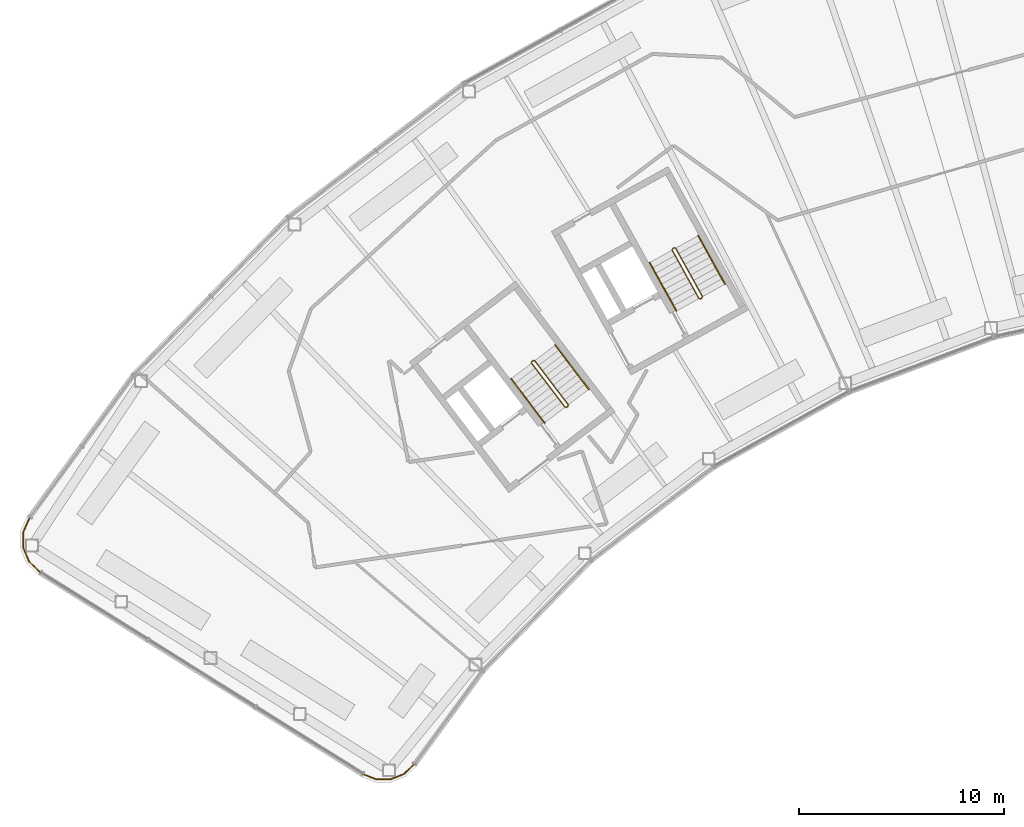
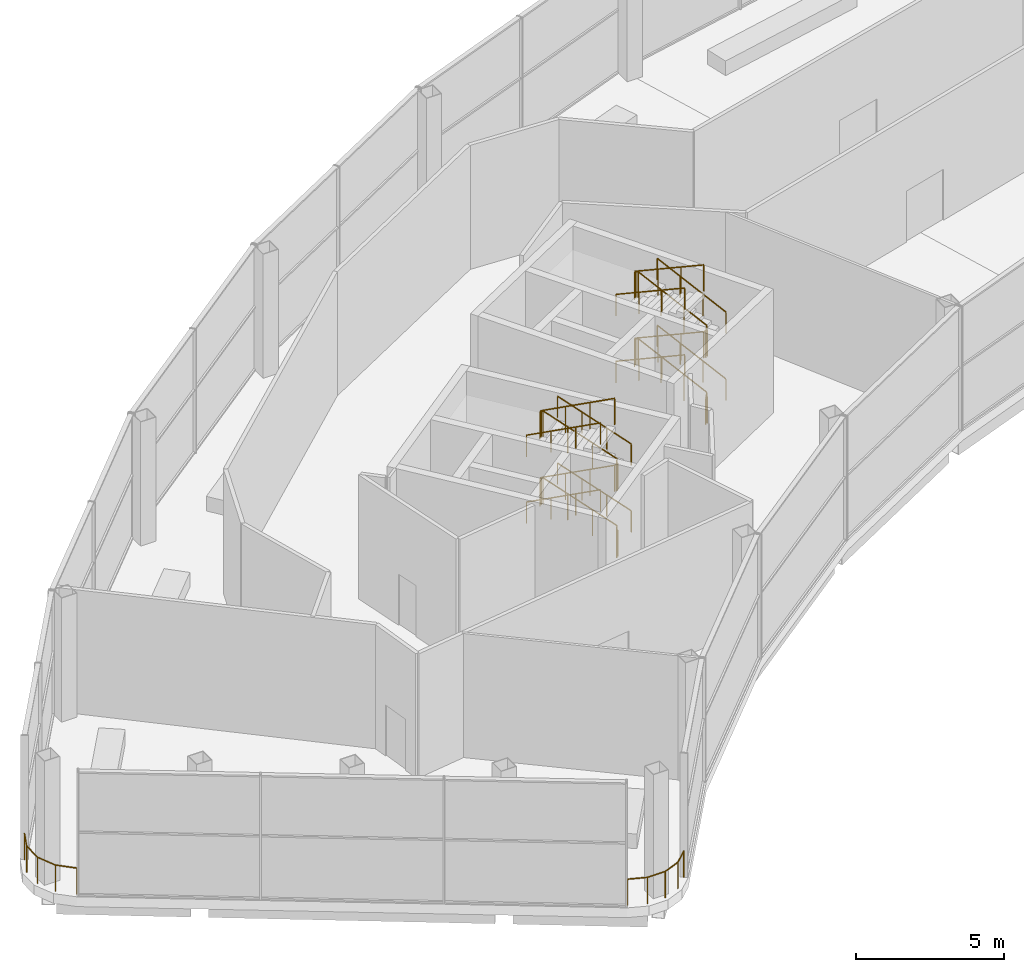
# One storey, part 41 of 43: 12 railings.
"""IFC4 building model written with IfcOpenShell, lengths in metres."""

from ifc_helpers import new_model, si_unit, direction, frame, origin, origin_2d, place, context, subcontext, project, spatial, circle, extrude, material, type_object, element, save


model = new_model("IFC4")

# Units and contexts
model_context = context("Model", 3, precision=1e-05, world=origin(), true_north=direction((0.0, 1.0)))
body_context = subcontext(model_context, "Body", "Model", "MODEL_VIEW")
ifc_project = project(units=[si_unit("LENGTHUNIT", "METRE"), si_unit("AREAUNIT", "SQUARE_METRE"), si_unit("VOLUMEUNIT", "CUBIC_METRE"), si_unit("PLANEANGLEUNIT", "RADIAN"), si_unit("MASSUNIT", "GRAM", prefix="KILO")], contexts=[model_context])

# Site, building, storey
site_placement = place(None, origin())
site = spatial("IfcSite", under=ifc_project, at=site_placement, CompositionType="ELEMENT")
building_placement = place(site_placement, origin())
building = spatial("IfcBuilding", under=site, at=building_placement, Name="Tuul Gate Civic Tower", CompositionType="ELEMENT")
storey_placement = place(building_placement, frame((0.0, 0.0, 349.10009765625)))
storey = spatial("IfcBuildingStorey", under=building, at=storey_placement, Name="Observation level 1", CompositionType="ELEMENT", Elevation=349.10009765625)

# Railings
ifc_material_1 = material(Name="Stainless steel", Category="steel")
railing_type_1 = type_object("IfcRailingType", Name="Edge guard", PredefinedType="GUARDRAIL", material=ifc_material_1)
railing_1_placement = place(storey_placement, frame((-59.597900390625, -18.944091796875, 0.0)))
element("IfcRailing", 1, at=railing_1_placement, inside=storey, type_object=railing_type_1, Name="Guard", PredefinedType="GUARDRAIL", context=body_context, shape_type="SweptSolid", body=[
    extrude(circle(Radius=0.02392578125, at=origin_2d()), frame((0.0, 0.0, 1.076171875), z_axis=(-0.409502361018, -0.912309057458, 0.0), x_axis=(0.912309057458, -0.409502361018, 0.0)), (0.0, 0.0, 1.0), 0.753662109375),
    extrude(circle(Radius=0.02392578125, at=origin_2d()), frame((-0.30859375, -0.6875, 1.076171875), z_axis=(-0.014580433083, -0.999893699836, 0.0), x_axis=(0.999893699836, -0.014580433083, 0.0)), (0.0, 0.0, 1.0), 0.75341796875),
    extrude(circle(Radius=0.02392578125, at=origin_2d()), frame((-0.319580078125, -1.44091796875, 1.076171875), z_axis=(0.385811143559, -0.922577780735, 0.0), x_axis=(0.922577780735, 0.385811143559, 0.0)), (0.0, 0.0, 1.0), 0.753662109375),
    extrude(circle(Radius=0.02392578125, at=origin_2d()), frame((-0.02880859375, -2.13623046875, 1.076171875), z_axis=(0.722332119168, -0.691546317768, 0.0), x_axis=(0.691546317768, 0.722332119168, 0.0)), (0.0, 0.0, 1.0), 0.75341796875),
    extrude(circle(Radius=0.02099609375, at=origin_2d()), origin(), (0.0, 0.0, 1.0), 1.052001953125),
    extrude(circle(Radius=0.02099609375, at=origin_2d()), frame((-0.30859375, -0.6875, 0.0)), (0.0, 0.0, 1.0), 1.052001953125),
    extrude(circle(Radius=0.02099609375, at=origin_2d()), frame((-0.319580078125, -1.44091796875, 0.0)), (0.0, 0.0, 1.0), 1.052001953125),
    extrude(circle(Radius=0.02099609375, at=origin_2d()), frame((-0.02880859375, -2.13623046875, 0.0)), (0.0, 0.0, 1.0), 1.052001953125),
    extrude(circle(Radius=0.02099609375, at=origin_2d()), frame((0.515380859375, -2.6572265625, 0.0)), (0.0, 0.0, 1.0), 1.052001953125),
])
railing_2_placement = place(storey_placement, frame((-43.35498046875, -31.43310546875, 0.0)))
element("IfcRailing", 2, at=railing_2_placement, inside=storey, type_object=railing_type_1, Name="Guard", PredefinedType="GUARDRAIL", context=body_context, shape_type="SweptSolid", body=[
    extrude(circle(Radius=0.02392578125, at=origin_2d()), frame((0.0, 0.0, 1.076171875), z_axis=(0.933546496867, -0.35845632675, 0.0), x_axis=(0.35845632675, 0.933546496867, 0.0)), (0.0, 0.0, 1.0), 0.6884765625),
    extrude(circle(Radius=0.02392578125, at=origin_2d()), frame((0.642822265625, -0.246826171875, 1.076171875), z_axis=(0.999995973226, 0.002837874348, 0.0), x_axis=(-0.002837874348, 0.999995973226, 0.0)), (0.0, 0.0, 1.0), 0.688232421875),
    extrude(circle(Radius=0.02392578125, at=origin_2d()), frame((1.3310546875, -0.244873046875, 1.076171875), z_axis=(0.929355422999, 0.369186264293, 0.0), x_axis=(-0.369186264293, 0.929355422999, 0.0)), (0.0, 0.0, 1.0), 0.687744140625),
    extrude(circle(Radius=0.02392578125, at=origin_2d()), frame((1.97021484375, 0.009033203125, 1.076171875), z_axis=(0.730277115831, 0.68315103315, 0.0), x_axis=(-0.68315103315, 0.730277115831, 0.0)), (0.0, 0.0, 1.0), 0.68896484375),
    extrude(circle(Radius=0.02099609375, at=origin_2d()), origin(), (0.0, 0.0, 1.0), 1.052001953125),
    extrude(circle(Radius=0.02099609375, at=origin_2d()), frame((0.642822265625, -0.246826171875, 0.0)), (0.0, 0.0, 1.0), 1.052001953125),
    extrude(circle(Radius=0.02099609375, at=origin_2d()), frame((1.3310546875, -0.244873046875, 0.0)), (0.0, 0.0, 1.0), 1.052001953125),
    extrude(circle(Radius=0.02099609375, at=origin_2d()), frame((1.97021484375, 0.009033203125, 0.0)), (0.0, 0.0, 1.0), 1.052001953125),
    extrude(circle(Radius=0.02099609375, at=origin_2d()), frame((2.473388671875, 0.479736328125, 0.0)), (0.0, 0.0, 1.0), 1.052001953125),
])
ifc_material_2 = material(Name="Painted steel", Category="steel")
railing_type_2 = type_object("IfcRailingType", Name="Stair guard", PredefinedType="GUARDRAIL", material=ifc_material_2)
railing_3_placement = place(storey_placement, frame((-33.382080078125, -13.515380859375, 0.0)))
element("IfcRailing", 3, at=railing_3_placement, inside=storey, type_object=railing_type_2, Name="Observation level 1 ST-1 stair guard 1", PredefinedType="GUARDRAIL", context=body_context, shape_type="SweptSolid", body=[
    extrude(circle(Radius=0.02392578125, at=origin_2d()), frame((0.0, 0.0, 1.076171875), z_axis=(-0.795879841968, -0.605454603706, 0.0), x_axis=(0.605454603706, -0.795879841968, 0.0)), (0.0, 0.0, 1.0), 0.10009765625),
    extrude(circle(Radius=0.02392578125, at=origin_2d()), frame((-0.07958984375, -0.060546875, 1.076171875), z_axis=(0.425334265974, 0.623435156976, 0.656063539023), x_axis=(-0.826063974707, 0.563576356576, 0.0)), (0.0, 0.0, 1.0), 0.20947265625),
    extrude(circle(Radius=0.02392578125, at=origin_2d()), frame((0.009521484375, 0.070068359375, 1.21337890625), z_axis=(-0.550666011155, 0.723288585185, 0.416678013218), x_axis=(-0.795649622695, -0.605757111312, 0.0)), (0.0, 0.0, 1.0), 2.969970703125),
    extrude(circle(Radius=0.02392578125, at=origin_2d()), frame((-1.6259765625, 2.21826171875, 2.451171875), z_axis=(-0.990893089246, 0.134650977284, 0.0), x_axis=(-0.134650977284, -0.990893089246, 0.0)), (0.0, 0.0, 1.0), 0.07080078125),
    extrude(circle(Radius=0.02392578125, at=origin_2d()), frame((-1.696044921875, 2.227783203125, 2.451171875), z_axis=(-0.795879841968, -0.605454603706, 0.0), x_axis=(0.605454603706, -0.795879841968, 0.0)), (0.0, 0.0, 1.0), 0.10009765625),
    extrude(circle(Radius=0.02392578125, at=origin_2d()), frame((-1.775634765625, 2.167236328125, 2.451171875), z_axis=(-0.061598308661, -0.453300373991, 0.889226866052), x_axis=(0.990893089246, -0.134650977284, 0.0)), (0.0, 0.0, 1.0), 0.154541015625),
    extrude(circle(Radius=0.02392578125, at=origin_2d()), frame((-1.78515625, 2.09716796875, 2.58837890625), z_axis=(0.550666011155, -0.723288585185, 0.416678013218), x_axis=(0.795649622695, 0.605757111312, 0.0)), (0.0, 0.0, 1.0), 2.969970703125),
    extrude(circle(Radius=0.02392578125, at=origin_2d()), frame((-0.149658203125, -0.051025390625, 3.826171875), z_axis=(0.946499470085, 0.32270536582, 0.0), x_axis=(-0.32270536582, 0.946499470085, 0.0)), (0.0, 0.0, 1.0), 0.158203125),
    extrude(circle(Radius=0.02392578125, at=origin_2d()), frame((0.0, 0.0, 3.826171875), z_axis=(-0.795879841968, -0.605454603706, 0.0), x_axis=(0.605454603706, -0.795879841968, 0.0)), (0.0, 0.0, 1.0), 0.10009765625),
    extrude(circle(Radius=0.02392578125, at=origin_2d()), frame((-0.07958984375, -0.060546875, 3.826171875), z_axis=(0.425334265974, 0.623435156976, 0.656063539023), x_axis=(-0.826063974707, 0.563576356576, 0.0)), (0.0, 0.0, 1.0), 0.20947265625),
    extrude(circle(Radius=0.02392578125, at=origin_2d()), frame((0.009521484375, 0.070068359375, 3.96337890625), z_axis=(-0.550666011155, 0.723288585185, 0.416678013218), x_axis=(-0.795649622695, -0.605757111312, 0.0)), (0.0, 0.0, 1.0), 2.969970703125),
    extrude(circle(Radius=0.02392578125, at=origin_2d()), frame((-1.6259765625, 2.21826171875, 5.201171875), z_axis=(-0.990893089246, 0.134650977284, 0.0), x_axis=(-0.134650977284, -0.990893089246, 0.0)), (0.0, 0.0, 1.0), 0.07080078125),
    extrude(circle(Radius=0.02392578125, at=origin_2d()), frame((-1.696044921875, 2.227783203125, 5.201171875), z_axis=(-0.795879841968, -0.605454603706, 0.0), x_axis=(0.605454603706, -0.795879841968, 0.0)), (0.0, 0.0, 1.0), 0.10009765625),
    extrude(circle(Radius=0.02392578125, at=origin_2d()), frame((-1.775634765625, 2.167236328125, 5.201171875), z_axis=(-0.061598308661, -0.453300373991, 0.889226866052), x_axis=(0.990893089246, -0.134650977284, 0.0)), (0.0, 0.0, 1.0), 0.154541015625),
    extrude(circle(Radius=0.02392578125, at=origin_2d()), frame((-1.78515625, 2.09716796875, 5.33837890625), z_axis=(0.550666011155, -0.723288585185, 0.416678013218), x_axis=(0.795649622695, 0.605757111312, 0.0)), (0.0, 0.0, 1.0), 2.969970703125),
    extrude(circle(Radius=0.02099609375, at=origin_2d()), origin(), (0.0, 0.0, 1.0), 1.052001953125),
    extrude(circle(Radius=0.02099609375, at=origin_2d()), frame((-0.07958984375, -0.060546875, 0.0)), (0.0, 0.0, 1.0), 1.052001953125),
    extrude(circle(Radius=0.02099609375, at=origin_2d()), frame((0.009521484375, 0.070068359375, 0.137451171875)), (0.0, 0.0, 1.0), 1.052001953125),
    extrude(circle(Radius=0.02099609375, at=origin_2d()), frame((-0.53564453125, 0.7861328125, 0.550048828125)), (0.0, 0.0, 1.0), 1.052001953125),
    extrude(circle(Radius=0.02099609375, at=origin_2d()), frame((-1.080810546875, 1.502197265625, 0.96240234375)), (0.0, 0.0, 1.0), 1.052001953125),
    extrude(circle(Radius=0.02099609375, at=origin_2d()), frame((-1.6259765625, 2.21826171875, 1.375)), (0.0, 0.0, 1.0), 1.052001953125),
    extrude(circle(Radius=0.02099609375, at=origin_2d()), frame((-1.696044921875, 2.227783203125, 1.375)), (0.0, 0.0, 1.0), 1.052001953125),
    extrude(circle(Radius=0.02099609375, at=origin_2d()), frame((-1.775634765625, 2.167236328125, 1.375)), (0.0, 0.0, 1.0), 1.052001953125),
    extrude(circle(Radius=0.02099609375, at=origin_2d()), frame((-1.78515625, 2.09716796875, 1.512451171875)), (0.0, 0.0, 1.0), 1.052001953125),
    extrude(circle(Radius=0.02099609375, at=origin_2d()), frame((-1.239990234375, 1.381103515625, 1.925048828125)), (0.0, 0.0, 1.0), 1.052001953125),
    extrude(circle(Radius=0.02099609375, at=origin_2d()), frame((-0.69482421875, 0.6650390625, 2.33740234375)), (0.0, 0.0, 1.0), 1.052001953125),
    extrude(circle(Radius=0.02099609375, at=origin_2d()), frame((-0.149658203125, -0.051025390625, 2.75)), (0.0, 0.0, 1.0), 1.052001953125),
    extrude(circle(Radius=0.02099609375, at=origin_2d()), frame((0.0, 0.0, 2.75)), (0.0, 0.0, 1.0), 1.052001953125),
    extrude(circle(Radius=0.02099609375, at=origin_2d()), frame((-0.07958984375, -0.060546875, 2.75)), (0.0, 0.0, 1.0), 1.052001953125),
    extrude(circle(Radius=0.02099609375, at=origin_2d()), frame((0.009521484375, 0.070068359375, 2.887451171875)), (0.0, 0.0, 1.0), 1.052001953125),
    extrude(circle(Radius=0.02099609375, at=origin_2d()), frame((-0.53564453125, 0.7861328125, 3.300048828125)), (0.0, 0.0, 1.0), 1.052001953125),
    extrude(circle(Radius=0.02099609375, at=origin_2d()), frame((-1.080810546875, 1.502197265625, 3.71240234375)), (0.0, 0.0, 1.0), 1.052001953125),
    extrude(circle(Radius=0.02099609375, at=origin_2d()), frame((-1.6259765625, 2.21826171875, 4.125)), (0.0, 0.0, 1.0), 1.052001953125),
    extrude(circle(Radius=0.02099609375, at=origin_2d()), frame((-1.696044921875, 2.227783203125, 4.125)), (0.0, 0.0, 1.0), 1.052001953125),
    extrude(circle(Radius=0.02099609375, at=origin_2d()), frame((-1.775634765625, 2.167236328125, 4.125)), (0.0, 0.0, 1.0), 1.052001953125),
    extrude(circle(Radius=0.02099609375, at=origin_2d()), frame((-1.78515625, 2.09716796875, 4.262451171875)), (0.0, 0.0, 1.0), 1.052001953125),
    extrude(circle(Radius=0.02099609375, at=origin_2d()), frame((-1.239990234375, 1.381103515625, 4.675048828125)), (0.0, 0.0, 1.0), 1.052001953125),
    extrude(circle(Radius=0.02099609375, at=origin_2d()), frame((-0.69482421875, 0.6650390625, 5.08740234375)), (0.0, 0.0, 1.0), 1.052001953125),
    extrude(circle(Radius=0.02099609375, at=origin_2d()), frame((-0.149658203125, -0.051025390625, 5.5)), (0.0, 0.0, 1.0), 1.052001953125),
])
railing_4_placement = place(storey_placement, frame((-26.857666015625, -8.247314453125, 0.0)))
element("IfcRailing", 4, at=railing_4_placement, inside=storey, type_object=railing_type_2, Name="Observation level 1 ST-2 stair guard 1", PredefinedType="GUARDRAIL", context=body_context, shape_type="SweptSolid", body=[
    extrude(circle(Radius=0.02392578125, at=origin_2d()), frame((0.0, 0.0, 1.076171875), z_axis=(-0.874616555828, -0.48481530532, 0.0), x_axis=(0.48481530532, -0.874616555828, 0.0)), (0.0, 0.0, 1.0), 0.10009765625),
    extrude(circle(Radius=0.02392578125, at=origin_2d()), frame((-0.087646484375, -0.048583984375, 1.076171875), z_axis=(0.510427805042, 0.555876856176, 0.656097840728), x_axis=(-0.736576986774, 0.676353711126, 0.0)), (0.0, 0.0, 1.0), 0.20947265625),
    extrude(circle(Radius=0.02392578125, at=origin_2d()), frame((0.019287109375, 0.06787109375, 1.21337890625), z_axis=(-0.440668491616, 0.795110300206, 0.416666402537), x_axis=(-0.874651584123, -0.484752108186, 0.0)), (0.0, 0.0, 1.0), 2.97021484375),
    extrude(circle(Radius=0.02392578125, at=origin_2d()), frame((-1.28955078125, 2.429443359375, 2.451171875), z_axis=(-0.961000426733, 0.276546885391, 0.0), x_axis=(-0.276546885391, -0.961000426733, 0.0)), (0.0, 0.0, 1.0), 0.070556640625),
    extrude(circle(Radius=0.02392578125, at=origin_2d()), frame((-1.357421875, 2.448974609375, 2.451171875), z_axis=(-0.874042088414, -0.485850211157, 0.0), x_axis=(0.485850211157, -0.874042088414, 0.0)), (0.0, 0.0, 1.0), 0.10009765625),
    extrude(circle(Radius=0.02392578125, at=origin_2d()), frame((-1.44482421875, 2.400390625, 2.451171875), z_axis=(-0.126387984284, -0.439198245387, 0.889455439399), x_axis=(0.961000426733, -0.276546885391, 0.0)), (0.0, 0.0, 1.0), 0.154541015625),
    extrude(circle(Radius=0.02392578125, at=origin_2d()), frame((-1.46435546875, 2.33251953125, 2.58837890625), z_axis=(0.440668491616, -0.795110300206, 0.416666402537), x_axis=(0.874651584123, 0.484752108186, 0.0)), (0.0, 0.0, 1.0), 2.97021484375),
    extrude(circle(Radius=0.02392578125, at=origin_2d()), frame((-0.155517578125, -0.029052734375, 3.826171875), z_axis=(0.98299425886, 0.183636290117, 0.0), x_axis=(-0.183636290117, 0.98299425886, 0.0)), (0.0, 0.0, 1.0), 0.158203125),
    extrude(circle(Radius=0.02392578125, at=origin_2d()), frame((0.0, 0.0, 3.826171875), z_axis=(-0.874616555828, -0.48481530532, 0.0), x_axis=(0.48481530532, -0.874616555828, 0.0)), (0.0, 0.0, 1.0), 0.10009765625),
    extrude(circle(Radius=0.02392578125, at=origin_2d()), frame((-0.087646484375, -0.048583984375, 3.826171875), z_axis=(0.510427805042, 0.555876856176, 0.656097840728), x_axis=(-0.736576986774, 0.676353711126, 0.0)), (0.0, 0.0, 1.0), 0.20947265625),
    extrude(circle(Radius=0.02392578125, at=origin_2d()), frame((0.019287109375, 0.06787109375, 3.96337890625), z_axis=(-0.440668491616, 0.795110300206, 0.416666402537), x_axis=(-0.874651584123, -0.484752108186, 0.0)), (0.0, 0.0, 1.0), 2.97021484375),
    extrude(circle(Radius=0.02392578125, at=origin_2d()), frame((-1.28955078125, 2.429443359375, 5.201171875), z_axis=(-0.961000426733, 0.276546885391, 0.0), x_axis=(-0.276546885391, -0.961000426733, 0.0)), (0.0, 0.0, 1.0), 0.070556640625),
    extrude(circle(Radius=0.02392578125, at=origin_2d()), frame((-1.357421875, 2.448974609375, 5.201171875), z_axis=(-0.874042088414, -0.485850211157, 0.0), x_axis=(0.485850211157, -0.874042088414, 0.0)), (0.0, 0.0, 1.0), 0.10009765625),
    extrude(circle(Radius=0.02392578125, at=origin_2d()), frame((-1.44482421875, 2.400390625, 5.201171875), z_axis=(-0.126387984284, -0.439198245387, 0.889455439399), x_axis=(0.961000426733, -0.276546885391, 0.0)), (0.0, 0.0, 1.0), 0.154541015625),
    extrude(circle(Radius=0.02392578125, at=origin_2d()), frame((-1.46435546875, 2.33251953125, 5.33837890625), z_axis=(0.440668491616, -0.795110300206, 0.416666402537), x_axis=(0.874651584123, 0.484752108186, 0.0)), (0.0, 0.0, 1.0), 2.97021484375),
    extrude(circle(Radius=0.02099609375, at=origin_2d()), origin(), (0.0, 0.0, 1.0), 1.052001953125),
    extrude(circle(Radius=0.02099609375, at=origin_2d()), frame((-0.087646484375, -0.048583984375, 0.0)), (0.0, 0.0, 1.0), 1.052001953125),
    extrude(circle(Radius=0.02099609375, at=origin_2d()), frame((0.019287109375, 0.06787109375, 0.137451171875)), (0.0, 0.0, 1.0), 1.052001953125),
    extrude(circle(Radius=0.02099609375, at=origin_2d()), frame((-0.4169921875, 0.85498046875, 0.550048828125)), (0.0, 0.0, 1.0), 1.052001953125),
    extrude(circle(Radius=0.02099609375, at=origin_2d()), frame((-0.853271484375, 1.642333984375, 0.96240234375)), (0.0, 0.0, 1.0), 1.052001953125),
    extrude(circle(Radius=0.02099609375, at=origin_2d()), frame((-1.28955078125, 2.429443359375, 1.375)), (0.0, 0.0, 1.0), 1.052001953125),
    extrude(circle(Radius=0.02099609375, at=origin_2d()), frame((-1.357421875, 2.448974609375, 1.375)), (0.0, 0.0, 1.0), 1.052001953125),
    extrude(circle(Radius=0.02099609375, at=origin_2d()), frame((-1.44482421875, 2.400390625, 1.375)), (0.0, 0.0, 1.0), 1.052001953125),
    extrude(circle(Radius=0.02099609375, at=origin_2d()), frame((-1.46435546875, 2.33251953125, 1.512451171875)), (0.0, 0.0, 1.0), 1.052001953125),
    extrude(circle(Radius=0.02099609375, at=origin_2d()), frame((-1.028076171875, 1.54541015625, 1.925048828125)), (0.0, 0.0, 1.0), 1.052001953125),
    extrude(circle(Radius=0.02099609375, at=origin_2d()), frame((-0.591796875, 0.758056640625, 2.33740234375)), (0.0, 0.0, 1.0), 1.052001953125),
    extrude(circle(Radius=0.02099609375, at=origin_2d()), frame((-0.155517578125, -0.029052734375, 2.75)), (0.0, 0.0, 1.0), 1.052001953125),
    extrude(circle(Radius=0.02099609375, at=origin_2d()), frame((0.0, 0.0, 2.75)), (0.0, 0.0, 1.0), 1.052001953125),
    extrude(circle(Radius=0.02099609375, at=origin_2d()), frame((-0.087646484375, -0.048583984375, 2.75)), (0.0, 0.0, 1.0), 1.052001953125),
    extrude(circle(Radius=0.02099609375, at=origin_2d()), frame((0.019287109375, 0.06787109375, 2.887451171875)), (0.0, 0.0, 1.0), 1.052001953125),
    extrude(circle(Radius=0.02099609375, at=origin_2d()), frame((-0.4169921875, 0.85498046875, 3.300048828125)), (0.0, 0.0, 1.0), 1.052001953125),
    extrude(circle(Radius=0.02099609375, at=origin_2d()), frame((-0.853271484375, 1.642333984375, 3.71240234375)), (0.0, 0.0, 1.0), 1.052001953125),
    extrude(circle(Radius=0.02099609375, at=origin_2d()), frame((-1.28955078125, 2.429443359375, 4.125)), (0.0, 0.0, 1.0), 1.052001953125),
    extrude(circle(Radius=0.02099609375, at=origin_2d()), frame((-1.357421875, 2.448974609375, 4.125)), (0.0, 0.0, 1.0), 1.052001953125),
    extrude(circle(Radius=0.02099609375, at=origin_2d()), frame((-1.44482421875, 2.400390625, 4.125)), (0.0, 0.0, 1.0), 1.052001953125),
    extrude(circle(Radius=0.02099609375, at=origin_2d()), frame((-1.46435546875, 2.33251953125, 4.262451171875)), (0.0, 0.0, 1.0), 1.052001953125),
    extrude(circle(Radius=0.02099609375, at=origin_2d()), frame((-1.028076171875, 1.54541015625, 4.675048828125)), (0.0, 0.0, 1.0), 1.052001953125),
    extrude(circle(Radius=0.02099609375, at=origin_2d()), frame((-0.591796875, 0.758056640625, 5.08740234375)), (0.0, 0.0, 1.0), 1.052001953125),
    extrude(circle(Radius=0.02099609375, at=origin_2d()), frame((-0.155517578125, -0.029052734375, 5.5)), (0.0, 0.0, 1.0), 1.052001953125),
])
ifc_material_3 = material(Name="Painted steel", Category="steel")
railing_type_3 = type_object("IfcRailingType", Name="Stair handrail", PredefinedType="HANDRAIL", material=ifc_material_3)
railing_5_placement = place(storey_placement, frame((-32.3779296875, -12.688232421875, 0.137451171875)))
element("IfcRailing", 5, at=railing_5_placement, inside=storey, type_object=railing_type_3, Name="Observation level 1 ST-1 stair handrail 1", PredefinedType="HANDRAIL", context=body_context, shape_type="SweptSolid", body=[
    extrude(circle(Radius=0.02392578125, at=origin_2d()), frame((0.0, 0.0, 0.8759765625), z_axis=(-0.550666011155, 0.723288585185, 0.416678013218), x_axis=(-0.795649622695, -0.605757111312, 0.0)), (0.0, 0.0, 1.0), 2.969970703125),
    extrude(circle(Radius=0.02099609375, at=origin_2d()), origin(), (0.0, 0.0, 1.0), 0.851806640625),
    extrude(circle(Radius=0.02099609375, at=origin_2d()), frame((-0.545166015625, 0.716064453125, 0.41259765625)), (0.0, 0.0, 1.0), 0.851806640625),
    extrude(circle(Radius=0.02099609375, at=origin_2d()), frame((-1.09033203125, 1.43212890625, 0.824951171875)), (0.0, 0.0, 1.0), 0.851806640625),
    extrude(circle(Radius=0.02099609375, at=origin_2d()), frame((-1.635498046875, 2.148193359375, 1.237548828125)), (0.0, 0.0, 1.0), 0.851806640625),
])
railing_6_placement = place(storey_placement, frame((-36.161865234375, -12.175537109375, 1.512451171875)))
element("IfcRailing", 6, at=railing_6_placement, inside=storey, type_object=railing_type_3, Name="Observation level 1 ST-1 stair handrail 2", PredefinedType="HANDRAIL", context=body_context, shape_type="SweptSolid", body=[
    extrude(circle(Radius=0.02392578125, at=origin_2d()), frame((0.0, 0.0, 0.8759765625), z_axis=(0.550723282363, -0.723255845002, 0.416659151985), x_axis=(0.795606040846, 0.605814350911, 0.0)), (0.0, 0.0, 1.0), 2.97021484375),
    extrude(circle(Radius=0.02099609375, at=origin_2d()), origin(), (0.0, 0.0, 1.0), 0.851806640625),
    extrude(circle(Radius=0.02099609375, at=origin_2d()), frame((0.545166015625, -0.716064453125, 0.41259765625)), (0.0, 0.0, 1.0), 0.851806640625),
    extrude(circle(Radius=0.02099609375, at=origin_2d()), frame((1.090576171875, -1.43212890625, 0.824951171875)), (0.0, 0.0, 1.0), 0.851806640625),
    extrude(circle(Radius=0.02099609375, at=origin_2d()), frame((1.6357421875, -2.148193359375, 1.237548828125)), (0.0, 0.0, 1.0), 0.851806640625),
])
railing_7_placement = place(storey_placement, frame((-32.3779296875, -12.688232421875, 2.887451171875)))
element("IfcRailing", 7, at=railing_7_placement, inside=storey, type_object=railing_type_3, Name="Observation level 1 ST-1 stair handrail 3", PredefinedType="HANDRAIL", context=body_context, shape_type="SweptSolid", body=[
    extrude(circle(Radius=0.02392578125, at=origin_2d()), frame((0.0, 0.0, 0.8759765625), z_axis=(-0.550666011155, 0.723288585185, 0.416678013218), x_axis=(-0.795649622695, -0.605757111312, 0.0)), (0.0, 0.0, 1.0), 2.969970703125),
    extrude(circle(Radius=0.02099609375, at=origin_2d()), origin(), (0.0, 0.0, 1.0), 0.851806640625),
    extrude(circle(Radius=0.02099609375, at=origin_2d()), frame((-0.545166015625, 0.716064453125, 0.41259765625)), (0.0, 0.0, 1.0), 0.851806640625),
    extrude(circle(Radius=0.02099609375, at=origin_2d()), frame((-1.09033203125, 1.43212890625, 0.824951171875)), (0.0, 0.0, 1.0), 0.851806640625),
    extrude(circle(Radius=0.02099609375, at=origin_2d()), frame((-1.635498046875, 2.148193359375, 1.237548828125)), (0.0, 0.0, 1.0), 0.851806640625),
])
railing_8_placement = place(storey_placement, frame((-36.161865234375, -12.175537109375, 4.262451171875)))
element("IfcRailing", 8, at=railing_8_placement, inside=storey, type_object=railing_type_3, Name="Observation level 1 ST-1 stair handrail 4", PredefinedType="HANDRAIL", context=body_context, shape_type="SweptSolid", body=[
    extrude(circle(Radius=0.02392578125, at=origin_2d()), frame((0.0, 0.0, 0.8759765625), z_axis=(0.550723282363, -0.723255845002, 0.416659151985), x_axis=(0.795606040846, 0.605814350911, 0.0)), (0.0, 0.0, 1.0), 2.97021484375),
    extrude(circle(Radius=0.02099609375, at=origin_2d()), origin(), (0.0, 0.0, 1.0), 0.851806640625),
    extrude(circle(Radius=0.02099609375, at=origin_2d()), frame((0.545166015625, -0.716064453125, 0.41259765625)), (0.0, 0.0, 1.0), 0.851806640625),
    extrude(circle(Radius=0.02099609375, at=origin_2d()), frame((1.090576171875, -1.43212890625, 0.824951171875)), (0.0, 0.0, 1.0), 0.851806640625),
    extrude(circle(Radius=0.02099609375, at=origin_2d()), frame((1.6357421875, -2.148193359375, 1.237548828125)), (0.0, 0.0, 1.0), 0.851806640625),
])
railing_9_placement = place(storey_placement, frame((-25.744873046875, -7.573486328125, 0.137451171875)))
element("IfcRailing", 9, at=railing_9_placement, inside=storey, type_object=railing_type_3, Name="Observation level 1 ST-2 stair handrail 1", PredefinedType="HANDRAIL", context=body_context, shape_type="SweptSolid", body=[
    extrude(circle(Radius=0.02392578125, at=origin_2d()), frame((0.0, 0.0, 0.8759765625), z_axis=(-0.440668491616, 0.795110300206, 0.416666402537), x_axis=(-0.874651584123, -0.484752108186, 0.0)), (0.0, 0.0, 1.0), 2.97021484375),
    extrude(circle(Radius=0.02099609375, at=origin_2d()), origin(), (0.0, 0.0, 1.0), 0.851806640625),
    extrude(circle(Radius=0.02099609375, at=origin_2d()), frame((-0.436279296875, 0.787109375, 0.41259765625)), (0.0, 0.0, 1.0), 0.851806640625),
    extrude(circle(Radius=0.02099609375, at=origin_2d()), frame((-0.87255859375, 1.574462890625, 0.824951171875)), (0.0, 0.0, 1.0), 0.851806640625),
    extrude(circle(Radius=0.02099609375, at=origin_2d()), frame((-1.308837890625, 2.361572265625, 1.237548828125)), (0.0, 0.0, 1.0), 0.851806640625),
])
railing_10_placement = place(storey_placement, frame((-29.415283203125, -6.520751953125, 1.512451171875)))
element("IfcRailing", 10, at=railing_10_placement, inside=storey, type_object=railing_type_3, Name="Observation level 1 ST-2 stair handrail 2", PredefinedType="HANDRAIL", context=body_context, shape_type="SweptSolid", body=[
    extrude(circle(Radius=0.02392578125, at=origin_2d()), frame((0.0, 0.0, 0.8759765625), z_axis=(0.440668491616, -0.795110300206, 0.416666402537), x_axis=(0.874651584123, 0.484752108186, 0.0)), (0.0, 0.0, 1.0), 2.97021484375),
    extrude(circle(Radius=0.02099609375, at=origin_2d()), origin(), (0.0, 0.0, 1.0), 0.851806640625),
    extrude(circle(Radius=0.02099609375, at=origin_2d()), frame((0.436279296875, -0.787109375, 0.41259765625)), (0.0, 0.0, 1.0), 0.851806640625),
    extrude(circle(Radius=0.02099609375, at=origin_2d()), frame((0.87255859375, -1.574462890625, 0.824951171875)), (0.0, 0.0, 1.0), 0.851806640625),
    extrude(circle(Radius=0.02099609375, at=origin_2d()), frame((1.308837890625, -2.361572265625, 1.237548828125)), (0.0, 0.0, 1.0), 0.851806640625),
])
railing_11_placement = place(storey_placement, frame((-25.744873046875, -7.573486328125, 2.887451171875)))
element("IfcRailing", 11, at=railing_11_placement, inside=storey, type_object=railing_type_3, Name="Observation level 1 ST-2 stair handrail 3", PredefinedType="HANDRAIL", context=body_context, shape_type="SweptSolid", body=[
    extrude(circle(Radius=0.02392578125, at=origin_2d()), frame((0.0, 0.0, 0.8759765625), z_axis=(-0.440668491616, 0.795110300206, 0.416666402537), x_axis=(-0.874651584123, -0.484752108186, 0.0)), (0.0, 0.0, 1.0), 2.97021484375),
    extrude(circle(Radius=0.02099609375, at=origin_2d()), origin(), (0.0, 0.0, 1.0), 0.851806640625),
    extrude(circle(Radius=0.02099609375, at=origin_2d()), frame((-0.436279296875, 0.787109375, 0.41259765625)), (0.0, 0.0, 1.0), 0.851806640625),
    extrude(circle(Radius=0.02099609375, at=origin_2d()), frame((-0.87255859375, 1.574462890625, 0.824951171875)), (0.0, 0.0, 1.0), 0.851806640625),
    extrude(circle(Radius=0.02099609375, at=origin_2d()), frame((-1.308837890625, 2.361572265625, 1.237548828125)), (0.0, 0.0, 1.0), 0.851806640625),
])
railing_12_placement = place(storey_placement, frame((-29.415283203125, -6.520751953125, 4.262451171875)))
element("IfcRailing", 12, at=railing_12_placement, inside=storey, type_object=railing_type_3, Name="Observation level 1 ST-2 stair handrail 4", PredefinedType="HANDRAIL", context=body_context, shape_type="SweptSolid", body=[
    extrude(circle(Radius=0.02392578125, at=origin_2d()), frame((0.0, 0.0, 0.8759765625), z_axis=(0.440668491616, -0.795110300206, 0.416666402537), x_axis=(0.874651584123, 0.484752108186, 0.0)), (0.0, 0.0, 1.0), 2.97021484375),
    extrude(circle(Radius=0.02099609375, at=origin_2d()), origin(), (0.0, 0.0, 1.0), 0.851806640625),
    extrude(circle(Radius=0.02099609375, at=origin_2d()), frame((0.436279296875, -0.787109375, 0.41259765625)), (0.0, 0.0, 1.0), 0.851806640625),
    extrude(circle(Radius=0.02099609375, at=origin_2d()), frame((0.87255859375, -1.574462890625, 0.824951171875)), (0.0, 0.0, 1.0), 0.851806640625),
    extrude(circle(Radius=0.02099609375, at=origin_2d()), frame((1.308837890625, -2.361572265625, 1.237548828125)), (0.0, 0.0, 1.0), 0.851806640625),
])

save(model, "model.ifc")
